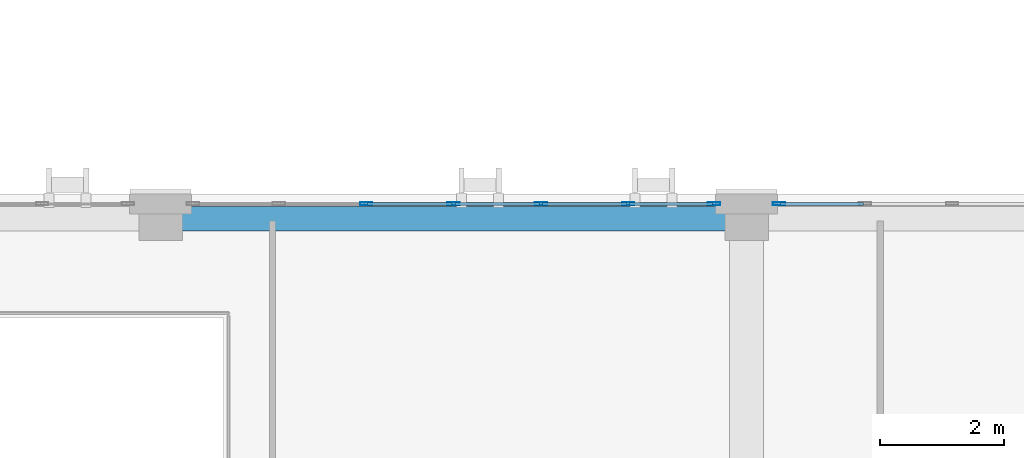
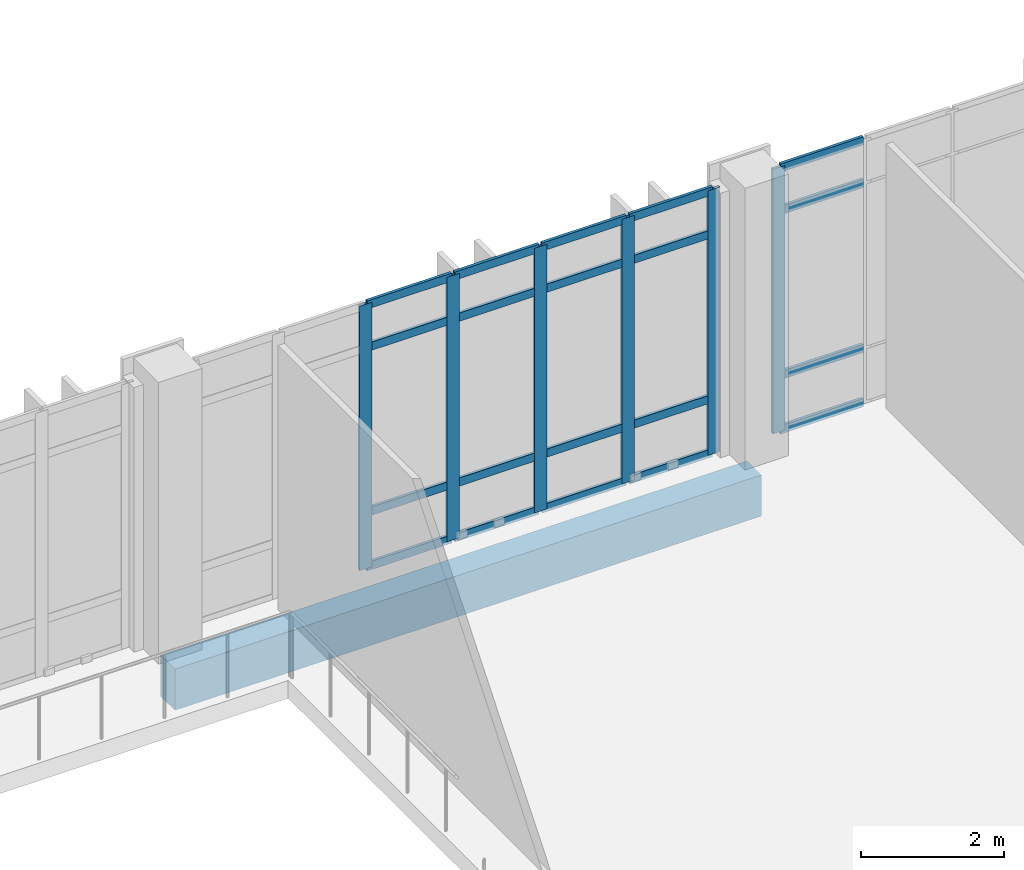
# One storey, part 37 of 189: 26 members, 1 beam, 2 elements without a shape of their own.
"""IFC4 building model written with IfcOpenShell, lengths in metres."""

from ifc_helpers import new_model, si_unit, direction, frame, origin, origin_2d, place, context, subcontext, project, spatial, rectangle, hollow_rectangle, extrude, material, layer, layer_set, material_profile, profile_set, type_object, element, aggregate, save


model = new_model("IFC4")

# Units and contexts
model_context = context("Model", 3, precision=1e-05, world=origin(), true_north=direction((0.0, 1.0)))
body_context = subcontext(model_context, "Body", "Model", "MODEL_VIEW")
ifc_project = project(units=[si_unit("LENGTHUNIT", "METRE"), si_unit("AREAUNIT", "SQUARE_METRE"), si_unit("VOLUMEUNIT", "CUBIC_METRE"), si_unit("PLANEANGLEUNIT", "RADIAN"), si_unit("MASSUNIT", "GRAM", prefix="KILO")], contexts=[model_context])

# Site, building, storey
site_placement = place(None, origin())
site = spatial("IfcSite", under=ifc_project, at=site_placement, CompositionType="ELEMENT")
building_placement = place(site_placement, origin())
building = spatial("IfcBuilding", under=site, at=building_placement, Name="Qalavern Law Courts", CompositionType="ELEMENT")
storey_placement = place(building_placement, frame((0.0, 0.0, 5.39990234375)))
storey = spatial("IfcBuildingStorey", under=building, at=storey_placement, Name="L01", CompositionType="ELEMENT", Elevation=5.39990234375)

# Curtain wall, member
ifc_material_1 = material(Name="Anodised aluminium and insulated glazing", Category="aluminium")
ifc_layer = layer(ifc_material_1, 0.18505859375)
ifc_layer_set = layer_set([ifc_layer], Name="Anodised aluminium and insulated glazing")
curtain_wall_type = type_object("IfcCurtainWallType", Name="ENV-CW-HALL", PredefinedType="USERDEFINED", material=ifc_layer_set)
curtain_wall_1_placement = place(storey_placement, origin())
curtain_wall_1 = element("IfcCurtainWall", 1, at=curtain_wall_1_placement, inside=storey, type_object=curtain_wall_type, Name="V2 unitised curtain wall L01 north 2", ObjectType="UNITISED CURTAIN WALL", PredefinedType="USERDEFINED")
ifc_material_2 = material(Name="Anodised aluminium", Category="aluminium")
ifc_material_profile_1 = material_profile(ifc_material_2, hollow_rectangle(XDim=0.048095703125, YDim=0.199951171875, WallThickness=0.00439453125, at=origin_2d()), Name="ALU MULLION 48x200")
ifc_profile_set_1 = profile_set([ifc_material_profile_1], Name="Anodised aluminium")
member_type_1 = type_object("IfcMemberType", Name="ENV-CWM-48x200", PredefinedType="MULLION", material=ifc_profile_set_1)
member_1_placement = place(storey_placement, frame((72.961181640625, 30.237548828125, 0.0), z_axis=(0.0, 0.0, 1.0), x_axis=(0.0, -1.0, 0.0)))
member_1 = element("IfcMember", 2, at=member_1_placement, type_object=member_type_1, Name="CW-02 mullion 7", PredefinedType="MULLION", context=body_context, shape_type="SweptSolid", body=[
    extrude(hollow_rectangle(XDim=0.048095703125, YDim=0.199951171875, WallThickness=0.00439453125, at=origin_2d()), origin(), (0.0, 0.0, 1.0), 4.510009765625),
])

# Curtain wall, members
curtain_wall_2_placement = place(storey_placement, origin())
curtain_wall_2 = element("IfcCurtainWall", 3, at=curtain_wall_2_placement, inside=storey, type_object=curtain_wall_type, Name="V2 unitised curtain wall L01 north 3", ObjectType="UNITISED CURTAIN WALL", PredefinedType="USERDEFINED")
member_2_placement = place(storey_placement, frame((71.9130859375, 30.237548828125, 0.0), z_axis=(0.0, 0.0, 1.0), x_axis=(0.0, -1.0, 0.0)))
member_2 = element("IfcMember", 4, at=member_2_placement, type_object=member_type_1, Name="CW-02 mullion 1", PredefinedType="MULLION", context=body_context, shape_type="SweptSolid", body=[
    extrude(hollow_rectangle(XDim=0.048095703125, YDim=0.199951171875, WallThickness=0.00439453125, at=origin_2d()), origin(), (0.0, 0.0, 1.0), 4.510009765625),
])
member_3_placement = place(storey_placement, frame((70.528076171875, 30.237548828125, 0.0), z_axis=(0.0, 0.0, 1.0), x_axis=(0.0, -1.0, 0.0)))
member_3 = element("IfcMember", 5, at=member_3_placement, type_object=member_type_1, Name="CW-02 mullion 2", PredefinedType="MULLION", context=body_context, shape_type="SweptSolid", body=[
    extrude(hollow_rectangle(XDim=0.048095703125, YDim=0.199951171875, WallThickness=0.00439453125, at=origin_2d()), origin(), (0.0, 0.0, 1.0), 4.510009765625),
])
member_4_placement = place(storey_placement, frame((69.119140625, 30.237548828125, 0.0), z_axis=(0.0, 0.0, 1.0), x_axis=(0.0, -1.0, 0.0)))
member_4 = element("IfcMember", 6, at=member_4_placement, type_object=member_type_1, Name="CW-02 mullion 3", PredefinedType="MULLION", context=body_context, shape_type="SweptSolid", body=[
    extrude(hollow_rectangle(XDim=0.048095703125, YDim=0.199951171875, WallThickness=0.00439453125, at=origin_2d()), origin(), (0.0, 0.0, 1.0), 4.510009765625),
])
member_5_placement = place(storey_placement, frame((67.7099609375, 30.237548828125, 0.0), z_axis=(0.0, 0.0, 1.0), x_axis=(0.0, -1.0, 0.0)))
member_5 = element("IfcMember", 7, at=member_5_placement, type_object=member_type_1, Name="CW-02 mullion 4", PredefinedType="MULLION", context=body_context, shape_type="SweptSolid", body=[
    extrude(hollow_rectangle(XDim=0.048095703125, YDim=0.199951171875, WallThickness=0.00439453125, at=origin_2d()), origin(), (0.0, 0.0, 1.0), 4.510009765625),
])
member_6_placement = place(storey_placement, frame((66.301025390625, 30.237548828125, 0.0), z_axis=(0.0, 0.0, 1.0), x_axis=(0.0, -1.0, 0.0)))
member_6 = element("IfcMember", 8, at=member_6_placement, type_object=member_type_1, Name="CW-02 mullion 5", PredefinedType="MULLION", context=body_context, shape_type="SweptSolid", body=[
    extrude(hollow_rectangle(XDim=0.048095703125, YDim=0.199951171875, WallThickness=0.00439453125, at=origin_2d()), origin(), (0.0, 0.0, 1.0), 4.510009765625),
])

# Member
ifc_material_profile_2 = material_profile(ifc_material_2, hollow_rectangle(XDim=0.048095703125, YDim=0.139892578125, WallThickness=0.00390625, at=origin_2d()), Name="ALU TRANSOM 48x140")
ifc_profile_set_2 = profile_set([ifc_material_profile_2], Name="Anodised aluminium")
member_type_2 = type_object("IfcMemberType", Name="ENV-CWT-48x140", PredefinedType="USERDEFINED", material=ifc_profile_set_2)
member_7_placement = place(storey_placement, frame((74.322265625, 30.237548828125, 0.024169921875), z_axis=(-1.0, 0.0, 0.0), x_axis=(0.0, -1.0, 0.0)))
member_7 = element("IfcMember", 9, at=member_7_placement, type_object=member_type_2, Name="CW-02 transom 6.1", ObjectType="TRANSOM", PredefinedType="USERDEFINED", context=body_context, shape_type="SweptSolid", body=[
    extrude(hollow_rectangle(XDim=0.048095703125, YDim=0.139892578125, WallThickness=0.00390625, at=origin_2d()), origin(), (0.0, 0.0, 1.0), 1.337158203125),
])

member_8_placement = place(storey_placement, frame((74.322265625, 30.237548828125, 0.9501953125), z_axis=(-1.0, 0.0, 0.0), x_axis=(0.0, -1.0, 0.0)))
member_8 = element("IfcMember", 10, at=member_8_placement, type_object=member_type_2, Name="CW-02 transom 6.2", ObjectType="TRANSOM", PredefinedType="USERDEFINED", context=body_context, shape_type="SweptSolid", body=[
    extrude(hollow_rectangle(XDim=0.048095703125, YDim=0.139892578125, WallThickness=0.00390625, at=origin_2d()), origin(), (0.0, 0.0, 1.0), 1.337158203125),
])

member_9_placement = place(storey_placement, frame((74.322265625, 30.237548828125, 3.760009765625), z_axis=(-1.0, 0.0, 0.0), x_axis=(0.0, -1.0, 0.0)))
member_9 = element("IfcMember", 11, at=member_9_placement, type_object=member_type_2, Name="CW-02 transom 6.3", ObjectType="TRANSOM", PredefinedType="USERDEFINED", context=body_context, shape_type="SweptSolid", body=[
    extrude(hollow_rectangle(XDim=0.048095703125, YDim=0.139892578125, WallThickness=0.00390625, at=origin_2d()), origin(), (0.0, 0.0, 1.0), 1.337158203125),
])

member_10_placement = place(storey_placement, frame((74.322265625, 30.237548828125, 4.486083984375), z_axis=(-1.0, 0.0, 0.0), x_axis=(0.0, -1.0, 0.0)))
member_10 = element("IfcMember", 12, at=member_10_placement, type_object=member_type_2, Name="CW-02 transom 6.4", ObjectType="TRANSOM", PredefinedType="USERDEFINED", context=body_context, shape_type="SweptSolid", body=[
    extrude(hollow_rectangle(XDim=0.048095703125, YDim=0.139892578125, WallThickness=0.00390625, at=origin_2d()), origin(), (0.0, 0.0, 1.0), 1.337158203125),
])

aggregate(curtain_wall_1, [member_1, member_7, member_8, member_9, member_10])

member_11_placement = place(storey_placement, frame((71.88916015625, 30.237548828125, 0.024169921875), z_axis=(-1.0, 0.0, 0.0), x_axis=(0.0, -1.0, 0.0)))
member_11 = element("IfcMember", 13, at=member_11_placement, type_object=member_type_2, Name="CW-02 transom 1.1", ObjectType="TRANSOM", PredefinedType="USERDEFINED", context=body_context, shape_type="SweptSolid", body=[
    extrude(hollow_rectangle(XDim=0.048095703125, YDim=0.139892578125, WallThickness=0.00390625, at=origin_2d()), origin(), (0.0, 0.0, 1.0), 1.337158203125),
])

member_12_placement = place(storey_placement, frame((71.88916015625, 30.237548828125, 0.9501953125), z_axis=(-1.0, 0.0, 0.0), x_axis=(0.0, -1.0, 0.0)))
member_12 = element("IfcMember", 14, at=member_12_placement, type_object=member_type_2, Name="CW-02 transom 1.2", ObjectType="TRANSOM", PredefinedType="USERDEFINED", context=body_context, shape_type="SweptSolid", body=[
    extrude(hollow_rectangle(XDim=0.048095703125, YDim=0.139892578125, WallThickness=0.00390625, at=origin_2d()), origin(), (0.0, 0.0, 1.0), 1.337158203125),
])

member_13_placement = place(storey_placement, frame((71.88916015625, 30.237548828125, 3.760009765625), z_axis=(-1.0, 0.0, 0.0), x_axis=(0.0, -1.0, 0.0)))
member_13 = element("IfcMember", 15, at=member_13_placement, type_object=member_type_2, Name="CW-02 transom 1.3", ObjectType="TRANSOM", PredefinedType="USERDEFINED", context=body_context, shape_type="SweptSolid", body=[
    extrude(hollow_rectangle(XDim=0.048095703125, YDim=0.139892578125, WallThickness=0.00390625, at=origin_2d()), origin(), (0.0, 0.0, 1.0), 1.337158203125),
])

member_14_placement = place(storey_placement, frame((71.88916015625, 30.237548828125, 4.486083984375), z_axis=(-1.0, 0.0, 0.0), x_axis=(0.0, -1.0, 0.0)))
member_14 = element("IfcMember", 16, at=member_14_placement, type_object=member_type_2, Name="CW-02 transom 1.4", ObjectType="TRANSOM", PredefinedType="USERDEFINED", context=body_context, shape_type="SweptSolid", body=[
    extrude(hollow_rectangle(XDim=0.048095703125, YDim=0.139892578125, WallThickness=0.00390625, at=origin_2d()), origin(), (0.0, 0.0, 1.0), 1.337158203125),
])

member_15_placement = place(storey_placement, frame((70.504150390625, 30.237548828125, 0.024169921875), z_axis=(-1.0, 0.0, 0.0), x_axis=(0.0, -1.0, 0.0)))
member_15 = element("IfcMember", 17, at=member_15_placement, type_object=member_type_2, Name="CW-02 transom 2.1", ObjectType="TRANSOM", PredefinedType="USERDEFINED", context=body_context, shape_type="SweptSolid", body=[
    extrude(hollow_rectangle(XDim=0.048095703125, YDim=0.139892578125, WallThickness=0.00390625, at=origin_2d()), origin(), (0.0, 0.0, 1.0), 1.361083984375),
])

member_16_placement = place(storey_placement, frame((70.504150390625, 30.237548828125, 0.9501953125), z_axis=(-1.0, 0.0, 0.0), x_axis=(0.0, -1.0, 0.0)))
member_16 = element("IfcMember", 18, at=member_16_placement, type_object=member_type_2, Name="CW-02 transom 2.2", ObjectType="TRANSOM", PredefinedType="USERDEFINED", context=body_context, shape_type="SweptSolid", body=[
    extrude(hollow_rectangle(XDim=0.048095703125, YDim=0.139892578125, WallThickness=0.00390625, at=origin_2d()), origin(), (0.0, 0.0, 1.0), 1.361083984375),
])

member_17_placement = place(storey_placement, frame((70.504150390625, 30.237548828125, 3.760009765625), z_axis=(-1.0, 0.0, 0.0), x_axis=(0.0, -1.0, 0.0)))
member_17 = element("IfcMember", 19, at=member_17_placement, type_object=member_type_2, Name="CW-02 transom 2.3", ObjectType="TRANSOM", PredefinedType="USERDEFINED", context=body_context, shape_type="SweptSolid", body=[
    extrude(hollow_rectangle(XDim=0.048095703125, YDim=0.139892578125, WallThickness=0.00390625, at=origin_2d()), origin(), (0.0, 0.0, 1.0), 1.361083984375),
])

member_18_placement = place(storey_placement, frame((70.504150390625, 30.237548828125, 4.486083984375), z_axis=(-1.0, 0.0, 0.0), x_axis=(0.0, -1.0, 0.0)))
member_18 = element("IfcMember", 20, at=member_18_placement, type_object=member_type_2, Name="CW-02 transom 2.4", ObjectType="TRANSOM", PredefinedType="USERDEFINED", context=body_context, shape_type="SweptSolid", body=[
    extrude(hollow_rectangle(XDim=0.048095703125, YDim=0.139892578125, WallThickness=0.00390625, at=origin_2d()), origin(), (0.0, 0.0, 1.0), 1.361083984375),
])

member_19_placement = place(storey_placement, frame((69.094970703125, 30.237548828125, 0.024169921875), z_axis=(-1.0, 0.0, 0.0), x_axis=(0.0, -1.0, 0.0)))
member_19 = element("IfcMember", 21, at=member_19_placement, type_object=member_type_2, Name="CW-02 transom 3.1", ObjectType="TRANSOM", PredefinedType="USERDEFINED", context=body_context, shape_type="SweptSolid", body=[
    extrude(hollow_rectangle(XDim=0.048095703125, YDim=0.139892578125, WallThickness=0.00390625, at=origin_2d()), origin(), (0.0, 0.0, 1.0), 1.361083984375),
])

member_20_placement = place(storey_placement, frame((69.094970703125, 30.237548828125, 0.9501953125), z_axis=(-1.0, 0.0, 0.0), x_axis=(0.0, -1.0, 0.0)))
member_20 = element("IfcMember", 22, at=member_20_placement, type_object=member_type_2, Name="CW-02 transom 3.2", ObjectType="TRANSOM", PredefinedType="USERDEFINED", context=body_context, shape_type="SweptSolid", body=[
    extrude(hollow_rectangle(XDim=0.048095703125, YDim=0.139892578125, WallThickness=0.00390625, at=origin_2d()), origin(), (0.0, 0.0, 1.0), 1.361083984375),
])

member_21_placement = place(storey_placement, frame((69.094970703125, 30.237548828125, 3.760009765625), z_axis=(-1.0, 0.0, 0.0), x_axis=(0.0, -1.0, 0.0)))
member_21 = element("IfcMember", 23, at=member_21_placement, type_object=member_type_2, Name="CW-02 transom 3.3", ObjectType="TRANSOM", PredefinedType="USERDEFINED", context=body_context, shape_type="SweptSolid", body=[
    extrude(hollow_rectangle(XDim=0.048095703125, YDim=0.139892578125, WallThickness=0.00390625, at=origin_2d()), origin(), (0.0, 0.0, 1.0), 1.361083984375),
])

member_22_placement = place(storey_placement, frame((69.094970703125, 30.237548828125, 4.486083984375), z_axis=(-1.0, 0.0, 0.0), x_axis=(0.0, -1.0, 0.0)))
member_22 = element("IfcMember", 24, at=member_22_placement, type_object=member_type_2, Name="CW-02 transom 3.4", ObjectType="TRANSOM", PredefinedType="USERDEFINED", context=body_context, shape_type="SweptSolid", body=[
    extrude(hollow_rectangle(XDim=0.048095703125, YDim=0.139892578125, WallThickness=0.00390625, at=origin_2d()), origin(), (0.0, 0.0, 1.0), 1.361083984375),
])

member_23_placement = place(storey_placement, frame((67.68603515625, 30.237548828125, 0.024169921875), z_axis=(-1.0, 0.0, 0.0), x_axis=(0.0, -1.0, 0.0)))
member_23 = element("IfcMember", 25, at=member_23_placement, type_object=member_type_2, Name="CW-02 transom 4.1", ObjectType="TRANSOM", PredefinedType="USERDEFINED", context=body_context, shape_type="SweptSolid", body=[
    extrude(hollow_rectangle(XDim=0.048095703125, YDim=0.139892578125, WallThickness=0.00390625, at=origin_2d()), origin(), (0.0, 0.0, 1.0), 1.361083984375),
])

member_24_placement = place(storey_placement, frame((67.68603515625, 30.237548828125, 0.9501953125), z_axis=(-1.0, 0.0, 0.0), x_axis=(0.0, -1.0, 0.0)))
member_24 = element("IfcMember", 26, at=member_24_placement, type_object=member_type_2, Name="CW-02 transom 4.2", ObjectType="TRANSOM", PredefinedType="USERDEFINED", context=body_context, shape_type="SweptSolid", body=[
    extrude(hollow_rectangle(XDim=0.048095703125, YDim=0.139892578125, WallThickness=0.00390625, at=origin_2d()), origin(), (0.0, 0.0, 1.0), 1.361083984375),
])

member_25_placement = place(storey_placement, frame((67.68603515625, 30.237548828125, 3.760009765625), z_axis=(-1.0, 0.0, 0.0), x_axis=(0.0, -1.0, 0.0)))
member_25 = element("IfcMember", 27, at=member_25_placement, type_object=member_type_2, Name="CW-02 transom 4.3", ObjectType="TRANSOM", PredefinedType="USERDEFINED", context=body_context, shape_type="SweptSolid", body=[
    extrude(hollow_rectangle(XDim=0.048095703125, YDim=0.139892578125, WallThickness=0.00390625, at=origin_2d()), origin(), (0.0, 0.0, 1.0), 1.361083984375),
])

member_26_placement = place(storey_placement, frame((67.68603515625, 30.237548828125, 4.486083984375), z_axis=(-1.0, 0.0, 0.0), x_axis=(0.0, -1.0, 0.0)))
member_26 = element("IfcMember", 28, at=member_26_placement, type_object=member_type_2, Name="CW-02 transom 4.4", ObjectType="TRANSOM", PredefinedType="USERDEFINED", context=body_context, shape_type="SweptSolid", body=[
    extrude(hollow_rectangle(XDim=0.048095703125, YDim=0.139892578125, WallThickness=0.00390625, at=origin_2d()), origin(), (0.0, 0.0, 1.0), 1.361083984375),
])

aggregate(curtain_wall_2, [member_2, member_3, member_4, member_5, member_6, member_11, member_12, member_13, member_14, member_15, member_16, member_17, member_18, member_19, member_20, member_21, member_22, member_23, member_24, member_25, member_26])

# Beam
ifc_material_3 = material(Name="Concrete C40/50", Category="concrete")
ifc_material_profile_3 = material_profile(ifc_material_3, rectangle(XDim=0.39990234375, YDim=0.699951171875, at=origin_2d()), Name="RC 400x700")
ifc_profile_set_3 = profile_set([ifc_material_profile_3], Name="Concrete C40/50")
beam_type = type_object("IfcBeamType", Name="STR-SP-RC400x700", PredefinedType="SPANDREL", material=ifc_profile_set_3)
beam_placement = place(storey_placement, frame((62.98291015625, 30.0, -0.64990234375), z_axis=(1.0, 0.0, 0.0), x_axis=(0.0, 1.0, 0.0)))
element("IfcBeam", 29, at=beam_placement, inside=storey, type_object=beam_type, Name="V2 X-beam 4-4 L01", PredefinedType="SPANDREL", context=body_context, shape_type="SweptSolid", body=[
    extrude(rectangle(XDim=0.39990234375, YDim=0.699951171875, at=origin_2d()), origin(), (0.0, 0.0, 1.0), 9.4541015625),
])

save(model, "model.ifc")
